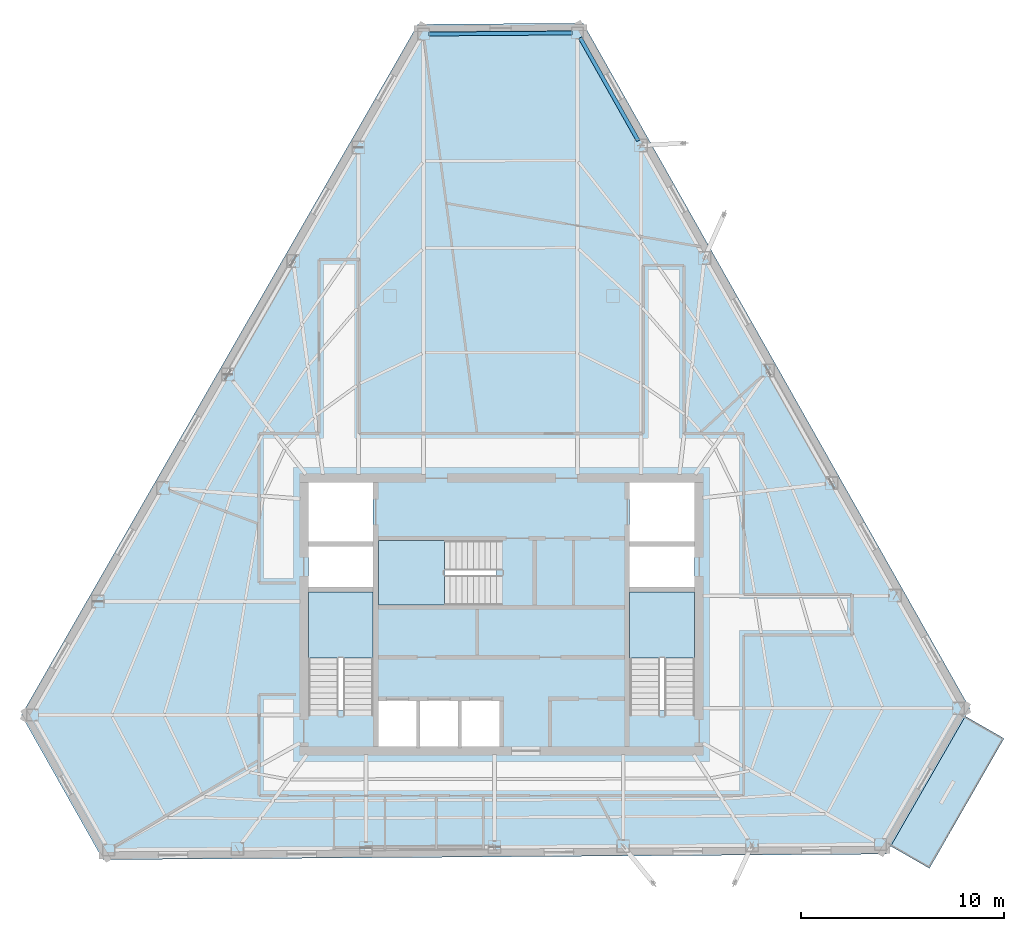
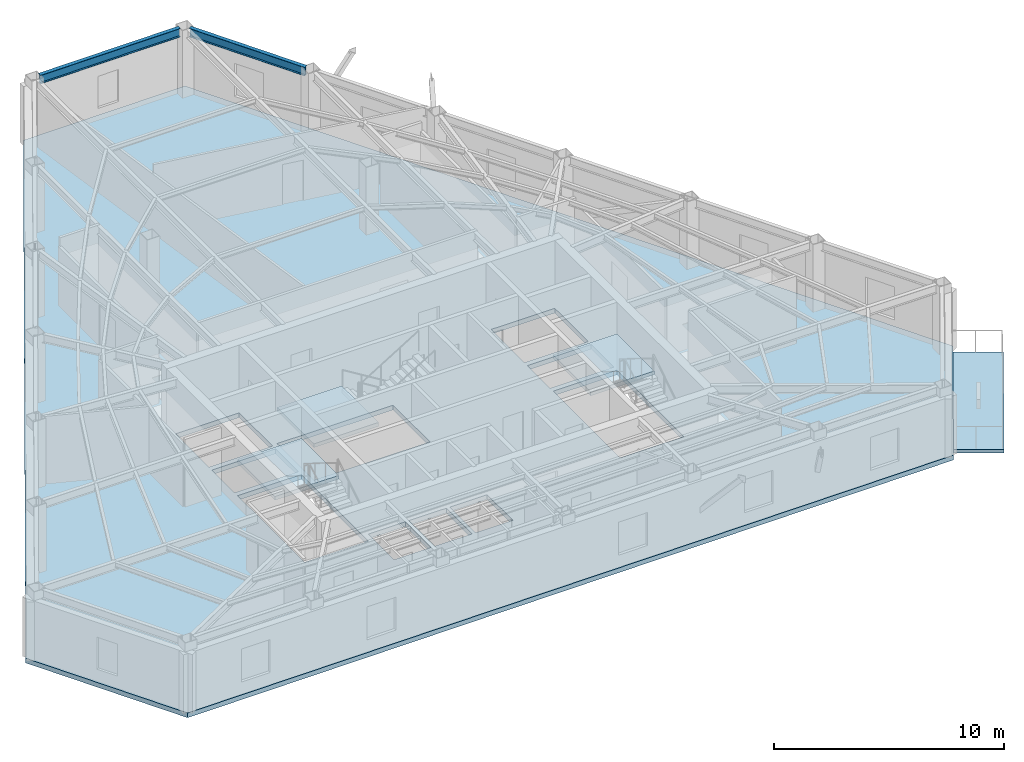
# One storey, part 3 of 12: 5 slabs, 2 beams, 3 elements without a shape of their own.
"""IFC4 building model written with IfcOpenShell, lengths in metres."""

import ifcopenshell
import ifcopenshell.guid

model = None  # the IFC model being written
_history = None  # IfcOwnerHistory: only IFC2X3 demands one
_inside = {}  # id of a spatial element -> (the spatial element, [elements in it])
_under = {}  # id of a project, library or spatial element -> (it, [spatial elements below it])
_declared = {}  # id of a project -> (the project, [libraries it declares])
_typed = {}  # id of a type object -> (the type object, [elements of that type])
_made_of = {}  # id of a material, layer set ... -> (it, [elements and type objects made of it])


def new_model(schema):
    """Start an empty IFC model of exactly this schema.

    Asked for "IFC4X3", IfcOpenShell would pick the latest addendum, in which some entities
    have other attributes; the version numbers below select the first issue.
    IFC2X3 requires an IfcOwnerHistory on every rooted entity: one is made here for all.
    """
    global model, _history
    if schema == "IFC4X3":
        model = ifcopenshell.file(schema_version=(4, 3, 0, 0))
    else:
        model = ifcopenshell.file(schema=schema)
    _inside.clear()
    _under.clear()
    _declared.clear()
    _typed.clear()
    _made_of.clear()
    _history = None
    if model.schema == "IFC2X3":
        org = make("IfcOrganization", Name="unknown")
        user = make(
            "IfcPersonAndOrganization",
            ThePerson=make("IfcPerson", FamilyName="unknown"),
            TheOrganization=org,
        )
        app = make(
            "IfcApplication",
            ApplicationDeveloper=org,
            Version="unknown",
            ApplicationFullName="unknown",
            ApplicationIdentifier="unknown",
        )
        _history = make(
            "IfcOwnerHistory",
            OwningUser=user,
            OwningApplication=app,
            ChangeAction="ADDED",
            CreationDate=0,
        )
    return model


def make(cls, **values):
    """One entity of the class cls with the attributes given. An attribute that is None is left unset."""
    return model.create_entity(
        cls, **{name: value for name, value in values.items() if value is not None}
    )


def rooted(cls, **values):
    """An entity with a GlobalId (a new one), such as an element, a storey or a relation."""
    return make(cls, GlobalId=ifcopenshell.guid.new(), OwnerHistory=_history, **values)


def si_unit(unit_type, name, prefix=None):
    """IfcSIUnit, for example si_unit("LENGTHUNIT", "METRE", prefix="MILLI")."""
    return make("IfcSIUnit", UnitType=unit_type, Prefix=prefix, Name=name)


def assignment(units):
    """IfcUnitAssignment: the units of a project."""
    return None if units is None else make("IfcUnitAssignment", Units=units)


def point(xyz):
    """IfcCartesianPoint."""
    return None if xyz is None else make("IfcCartesianPoint", Coordinates=xyz)


def direction(xyz):
    """IfcDirection."""
    return None if xyz is None else make("IfcDirection", DirectionRatios=xyz)


def frame(location, z_axis=None, x_axis=None):
    """IfcAxis2Placement3D, a coordinate frame: its origin and axes. An axis left out is left unset."""
    return make(
        "IfcAxis2Placement3D",
        Location=point(location),
        Axis=direction(z_axis),
        RefDirection=direction(x_axis),
    )


def frame_2d(location, x_axis=None):
    """IfcAxis2Placement2D, a coordinate frame in the plane: its origin and x axis."""
    return make(
        "IfcAxis2Placement2D", Location=point(location), RefDirection=direction(x_axis)
    )


def origin():
    """The frame at (0, 0, 0) with its axes left unset."""
    return frame((0.0, 0.0, 0.0))


def origin_2d():
    """The frame at (0, 0) in the plane with its x axis left unset."""
    return frame_2d((0.0, 0.0))


def place(relative_to, where):
    """IfcLocalPlacement: puts the frame where relative to a parent placement (None: the world)."""
    return make(
        "IfcLocalPlacement", PlacementRelTo=relative_to, RelativePlacement=where
    )


def context(
    kind, dimensions, precision=None, world=None, true_north=None, identifier=None
):
    """IfcGeometricRepresentationContext, for example the 3D "Model" context."""
    return make(
        "IfcGeometricRepresentationContext",
        ContextIdentifier=identifier,
        ContextType=kind,
        CoordinateSpaceDimension=dimensions,
        Precision=precision,
        WorldCoordinateSystem=world,
        TrueNorth=true_north,
    )


def subcontext(parent, identifier, kind, view, scale=None):
    """IfcGeometricRepresentationSubContext, for example "Body" below "Model"."""
    return make(
        "IfcGeometricRepresentationSubContext",
        ContextIdentifier=identifier,
        ContextType=kind,
        ParentContext=parent,
        TargetScale=scale,
        TargetView=view,
    )


def project(units=None, contexts=None):
    """IfcProject with its units and contexts."""
    return rooted(
        "IfcProject",
        Name="project",
        RepresentationContexts=contexts,
        UnitsInContext=assignment(units),
    )


def spatial(cls, under=None, at=None, **own):
    """A site, building, storey or space (cls), placed at a placement, below another one or the project."""
    s = rooted(cls, ObjectPlacement=at, **own)
    if under is not None:
        _under.setdefault(under.id(), (under, []))[1].append(s)
    return s


def polyline(points):
    """IfcPolyline through the points."""
    return make("IfcPolyline", Points=[point(p) for p in points])


def profile(cls, at=None, kind="AREA", **sizes):
    """A parametric profile (cls). Its sizes go by their IFC names, for example OverallWidth=200.0."""
    return make(cls, ProfileType=kind, Position=at, **sizes)


def i_section(**sizes):
    """IfcIShapeProfileDef."""
    return profile("IfcIShapeProfileDef", **sizes)


def outline(outer, holes=None, kind="AREA"):
    """IfcArbitraryClosedProfileDef: a profile drawn as a closed curve; with holes, ...WithVoids."""
    if holes is None:
        return make("IfcArbitraryClosedProfileDef", ProfileType=kind, OuterCurve=outer)
    return make(
        "IfcArbitraryProfileDefWithVoids",
        ProfileType=kind,
        OuterCurve=outer,
        InnerCurves=holes,
    )


def extrude(swept, where, along, depth):
    """IfcExtrudedAreaSolid: the profile swept, set in the frame where, extruded along a direction by depth."""
    return make(
        "IfcExtrudedAreaSolid",
        SweptArea=swept,
        Position=where,
        ExtrudedDirection=direction(along),
        Depth=depth,
    )


def shape(context_of_items, identifier, shape_type, items):
    """IfcShapeRepresentation: the items that make up one representation, for example the "Body"."""
    return make(
        "IfcShapeRepresentation",
        ContextOfItems=context_of_items,
        RepresentationIdentifier=identifier,
        RepresentationType=shape_type,
        Items=items,
    )


def material(Name=None, Category=None):
    """IfcMaterial."""
    return make("IfcMaterial", Name=Name, Category=Category)


def layer(
    of_material, thickness, ventilated=None, Name=None, Category=None, Priority=None
):
    """IfcMaterialLayer: one layer of a wall or slab, of a material (None: an air gap)."""
    return make(
        "IfcMaterialLayer",
        Material=of_material,
        LayerThickness=thickness,
        IsVentilated=ventilated,
        Name=Name,
        Category=Category,
        Priority=Priority,
    )


def layer_set(layers, Name=None):
    """IfcMaterialLayerSet."""
    return make("IfcMaterialLayerSet", MaterialLayers=layers, LayerSetName=Name)


def material_profile(
    of_material, cross_section, Name=None, Category=None, Priority=None
):
    """IfcMaterialProfile: a cross section and its material."""
    return make(
        "IfcMaterialProfile",
        Name=Name,
        Material=of_material,
        Profile=cross_section,
        Priority=Priority,
        Category=Category,
    )


def profile_set(profiles, Name=None, composite=None):
    """IfcMaterialProfileSet."""
    return make(
        "IfcMaterialProfileSet",
        Name=Name,
        MaterialProfiles=profiles,
        CompositeProfile=composite,
    )


def made_of(thing, what):
    """Note that an element or type object is made of a material, layer set ...; save() writes the relation."""
    if what is not None:
        _made_of.setdefault(what.id(), (what, []))[1].append(thing)
    return thing


def type_object(cls, material=None, **own):
    """A type object (cls), such as IfcWallType, which elements share."""
    return made_of(rooted(cls, **own), material)


def element(
    cls,
    number,
    at=None,
    inside=None,
    cuts=None,
    type_object=None,
    material=None,
    context=None,
    identifier="Body",
    shape_type=None,
    held_by="IfcProductDefinitionShape",
    body=None,
    shapes=None,
    **own,
):
    """One element of the class cls, such as IfcWall. Its Tag is "e" and its number.

    at: its placement. inside: the storey or other place that contains it. cuts: it is an
    opening in that element (IfcRelVoidsElement). A single representation is given by context,
    identifier, shape_type and body (its items); several are given by shapes. held_by: the class
    of the entity that holds the representations. save() writes the other relations.
    """
    e = rooted(cls, Tag="e%d" % number, ObjectPlacement=at, **own)
    if body is not None:
        shapes = [shape(context, identifier, shape_type, body)]
    if shapes is not None:
        e.Representation = make(held_by, Representations=shapes)
    if inside is not None:
        _inside.setdefault(inside.id(), (inside, []))[1].append(e)
    if cuts is not None:
        rooted(
            "IfcRelVoidsElement", RelatingBuildingElement=cuts, RelatedOpeningElement=e
        )
    if type_object is not None:
        _typed.setdefault(type_object.id(), (type_object, []))[1].append(e)
    return made_of(e, material)


def aggregate(whole, parts):
    """IfcRelAggregates: a whole, such as a stair, and the parts it consists of."""
    return rooted("IfcRelAggregates", RelatingObject=whole, RelatedObjects=parts)


def save(model, path):
    """Write the relations noted so far, then the file.

    IfcRelAggregates (storeys below a building ...), IfcRelContainedInSpatialStructure (elements
    in a storey), IfcRelDefinesByType, IfcRelAssociatesMaterial and IfcRelDeclares: one each for
    every whole, place, type object, material and project.
    """
    for whole, parts in _under.values():
        aggregate(whole, parts)
    for where, things in _inside.values():
        rooted(
            "IfcRelContainedInSpatialStructure",
            RelatedElements=things,
            RelatingStructure=where,
        )
    for kind, things in _typed.values():
        rooted("IfcRelDefinesByType", RelatedObjects=things, RelatingType=kind)
    for what, things in _made_of.values():
        rooted("IfcRelAssociatesMaterial", RelatedObjects=things, RelatingMaterial=what)
    for by, libraries in _declared.values():
        rooted("IfcRelDeclares", RelatingContext=by, RelatedDefinitions=libraries)
    model.write(path)


model = new_model("IFC4")

# Units and contexts
model_context = context("Model", 3, precision=1e-05, world=origin(), true_north=direction((0.0, 1.0)))
body_context = subcontext(model_context, "Body", "Model", "MODEL_VIEW")
ifc_project = project(units=[si_unit("LENGTHUNIT", "METRE"), si_unit("AREAUNIT", "SQUARE_METRE"), si_unit("VOLUMEUNIT", "CUBIC_METRE"), si_unit("PLANEANGLEUNIT", "RADIAN"), si_unit("MASSUNIT", "GRAM", prefix="KILO")], contexts=[model_context])

# Site, building, storey
site_placement = place(None, origin())
site = spatial("IfcSite", under=ifc_project, at=site_placement, CompositionType="ELEMENT")
building_placement = place(site_placement, origin())
building = spatial("IfcBuilding", under=site, at=building_placement, Name="Kavelnor Concourse Tower", CompositionType="ELEMENT")
storey_placement = place(building_placement, frame((0.0, 0.0, 226.60009765625)))
storey = spatial("IfcBuildingStorey", under=building, at=storey_placement, Name="L57", CompositionType="ELEMENT", Elevation=226.60009765625)

# Beams
ifc_material_1 = material(Name="Steel Grade 350", Category="steel")
ifc_material_profile = material_profile(ifc_material_1, i_section(OverallWidth=0.19091796875, OverallDepth=0.4599609375, WebThickness=0.010009765625, FlangeThickness=0.01611328125, at=origin_2d()), Name="460UB82")
ifc_profile_set = profile_set([ifc_material_profile], Name="Steel Grade 350")
beam_type = type_object("IfcBeamType", Name="BM-SPANDREL-Z3", PredefinedType="SPANDREL", material=ifc_profile_set)
beam_1_placement = place(storey_placement, frame((41.47705078125, 44.7568359375, 3.369873046875), z_axis=(-0.999974344028, -0.007163189577, 0.0), x_axis=(0.007163189577, -0.999974344028, 0.0)))
element("IfcBeam", 1, at=beam_1_placement, inside=storey, type_object=beam_type, Name="L57 Chamfer Facet Spandrel Beam C0", PredefinedType="SPANDREL", context=body_context, shape_type="SweptSolid", body=[
    extrude(i_section(OverallWidth=0.19091796875, OverallDepth=0.4599609375, WebThickness=0.010009765625, FlangeThickness=0.01611328125, at=origin_2d()), origin(), (0.0, 0.0, 1.0), 7.05517578125),
])
beam_2_placement = place(storey_placement, frame((44.74267578125, 39.443115234375, 3.369873046875), z_axis=(-0.491588742446, 0.87082748481, 0.0), x_axis=(-0.87082748481, -0.491588742446, 0.0)))
element("IfcBeam", 2, at=beam_2_placement, inside=storey, type_object=beam_type, Name="L57 Perimeter Tube Spandrel Beam F2-B5", PredefinedType="SPANDREL", context=body_context, shape_type="SweptSolid", body=[
    extrude(i_section(OverallWidth=0.19091796875, OverallDepth=0.4599609375, WebThickness=0.010009765625, FlangeThickness=0.01611328125, at=origin_2d()), origin(), (0.0, 0.0, 1.0), 5.8388671875),
])

# Stair, slab
ifc_material_2 = material(Name="Concrete C40/50", Category="concrete")
stair_type = type_object("IfcStairType", Name="STR-CORE-1500", PredefinedType="HALF_TURN_STAIR", material=ifc_material_2)
stair_1_placement = place(storey_placement, origin())
stair_1 = element("IfcStair", 3, at=stair_1_placement, inside=storey, type_object=stair_type, Name="L57 ST1", PredefinedType="HALF_TURN_STAIR")
ifc_layer_1 = layer(ifc_material_2, 0.199951171875, Name="Concrete C40/50")
ifc_layer_set_1 = layer_set([ifc_layer_1], Name="Concrete C40/50")
slab_type_1 = type_object("IfcSlabType", Name="SLB-LANDING-200", PredefinedType="LANDING", material=ifc_layer_set_1)
slab_1_placement = place(storey_placement, frame((0.0, 0.0, 1.724853515625)))
slab_1 = element("IfcSlab", 4, at=slab_1_placement, type_object=slab_type_1, Name="ST1 landing 1", PredefinedType="LANDING", context=body_context, shape_type="SweptSolid", body=[
    extrude(outline(polyline([(31.679931640625, 13.949951171875), (31.679931640625, 17.199951171875), (28.47998046875, 17.199951171875), (28.47998046875, 13.949951171875), (31.679931640625, 13.949951171875)])), origin(), (0.0, 0.0, 1.0), 0.199951171875),
])
aggregate(stair_1, [slab_1])

stair_2_placement = place(storey_placement, origin())
stair_2 = element("IfcStair", 5, at=stair_2_placement, inside=storey, type_object=stair_type, Name="L57 ST2", PredefinedType="HALF_TURN_STAIR")
slab_2_placement = place(storey_placement, frame((0.0, 0.0, 1.724853515625)))
slab_2 = element("IfcSlab", 6, at=slab_2_placement, type_object=slab_type_1, Name="ST2 landing 1", PredefinedType="LANDING", context=body_context, shape_type="SweptSolid", body=[
    extrude(outline(polyline([(47.52001953125, 13.949951171875), (47.52001953125, 17.199951171875), (44.320068359375, 17.199951171875), (44.320068359375, 13.949951171875), (47.52001953125, 13.949951171875)])), origin(), (0.0, 0.0, 1.0), 0.199951171875),
])
aggregate(stair_2, [slab_2])

stair_3_placement = place(storey_placement, origin())
stair_3 = element("IfcStair", 7, at=stair_3_placement, inside=storey, type_object=stair_type, Name="L57 ST3", PredefinedType="HALF_TURN_STAIR")
slab_3_placement = place(storey_placement, frame((0.0, 0.0, 1.724853515625)))
slab_3 = element("IfcSlab", 8, at=slab_3_placement, type_object=slab_type_1, Name="ST3 landing 1", PredefinedType="LANDING", context=body_context, shape_type="SweptSolid", body=[
    extrude(outline(polyline([(35.18994140625, 19.760009765625), (31.93994140625, 19.760009765625), (31.93994140625, 16.56005859375), (35.18994140625, 16.56005859375), (35.18994140625, 19.760009765625)])), origin(), (0.0, 0.0, 1.0), 0.199951171875),
])
aggregate(stair_3, [slab_3])

# Slabs
ifc_layer_2 = layer(ifc_material_2, 0.25, Name="Concrete C40/50")
ifc_layer_set_2 = layer_set([ifc_layer_2], Name="Concrete C40/50")
slab_type_2 = type_object("IfcSlabType", Name="SLB-OFFICE-250", PredefinedType="FLOOR", material=ifc_layer_set_2)
slab_4_placement = place(storey_placement, frame((0.0, 0.0, -0.25)))
element("IfcSlab", 9, at=slab_4_placement, inside=storey, type_object=slab_type_2, Name="L57 Composite Structural Floor Slab", PredefinedType="FLOOR", context=body_context, shape_type="SweptSolid", body=[
    extrude(outline(polyline([(42.021240234375, 45.24072265625), (33.8779296875, 45.1826171875), (14.342041015625, 11.143310546875), (18.36328125, 4.019287109375), (56.957275390625, 4.29541015625), (61.079345703125, 11.4775390625), (42.021240234375, 45.24072265625)]), holes=[polyline([(28.47998046875, 11.3798828125), (31.679931640625, 11.3798828125), (31.679931640625, 17.199951171875), (28.47998046875, 17.199951171875), (28.47998046875, 11.3798828125)]), polyline([(44.320068359375, 11.3798828125), (47.52001953125, 11.3798828125), (47.52001953125, 17.199951171875), (44.320068359375, 17.199951171875), (44.320068359375, 11.3798828125)]), polyline([(31.93994140625, 16.56005859375), (37.760009765625, 16.56005859375), (37.760009765625, 19.760009765625), (31.93994140625, 19.760009765625), (31.93994140625, 16.56005859375)]), polyline([(28.47998046875, 19.699951171875), (31.679931640625, 19.699951171875), (31.679931640625, 22.60009765625), (28.47998046875, 22.60009765625), (28.47998046875, 19.699951171875)]), polyline([(44.320068359375, 19.699951171875), (47.52001953125, 19.699951171875), (47.52001953125, 22.60009765625), (44.320068359375, 22.60009765625), (44.320068359375, 19.699951171875)]), polyline([(31.93994140625, 9.60009765625), (33.81005859375, 9.60009765625), (33.81005859375, 11.840087890625), (31.93994140625, 11.840087890625), (31.93994140625, 9.60009765625)]), polyline([(33.989990234375, 9.60009765625), (35.860107421875, 9.60009765625), (35.860107421875, 11.840087890625), (33.989990234375, 11.840087890625), (33.989990234375, 9.60009765625)]), polyline([(36.0400390625, 9.60009765625), (37.909912109375, 9.60009765625), (37.909912109375, 11.840087890625), (36.0400390625, 11.840087890625), (36.0400390625, 9.60009765625)]), polyline([(28.47998046875, 17.4599609375), (31.679931640625, 17.4599609375), (31.679931640625, 19.43994140625), (28.47998046875, 19.43994140625), (28.47998046875, 17.4599609375)]), polyline([(44.320068359375, 17.4599609375), (47.52001953125, 17.4599609375), (47.52001953125, 19.43994140625), (44.320068359375, 19.43994140625), (44.320068359375, 17.4599609375)])]), origin(), (0.0, 0.0, 1.0), 0.25),
])
ifc_layer_3 = layer(ifc_material_2, 0.18994140625, Name="Concrete C40/50")
ifc_layer_set_3 = layer_set([ifc_layer_3], Name="Concrete C40/50")
slab_type_3 = type_object("IfcSlabType", Name="SLB-TERRACE-190", PredefinedType="FLOOR", material=ifc_layer_set_3)
slab_5_placement = place(storey_placement, frame((0.0, 0.0, -0.190185546875)))
element("IfcSlab", 10, at=slab_5_placement, inside=storey, type_object=slab_type_3, Name="L57 Spiralling Sky Terrace Slab", PredefinedType="FLOOR", context=body_context, shape_type="SweptSolid", body=[
    extrude(outline(polyline([(62.763427734375, 9.9921875), (59.08935546875, 3.590576171875), (57.18115234375, 4.685546875), (60.855224609375, 11.087158203125), (62.763427734375, 9.9921875)])), origin(), (0.0, 0.0, 1.0), 0.190185546875),
])

save(model, "model.ifc")
